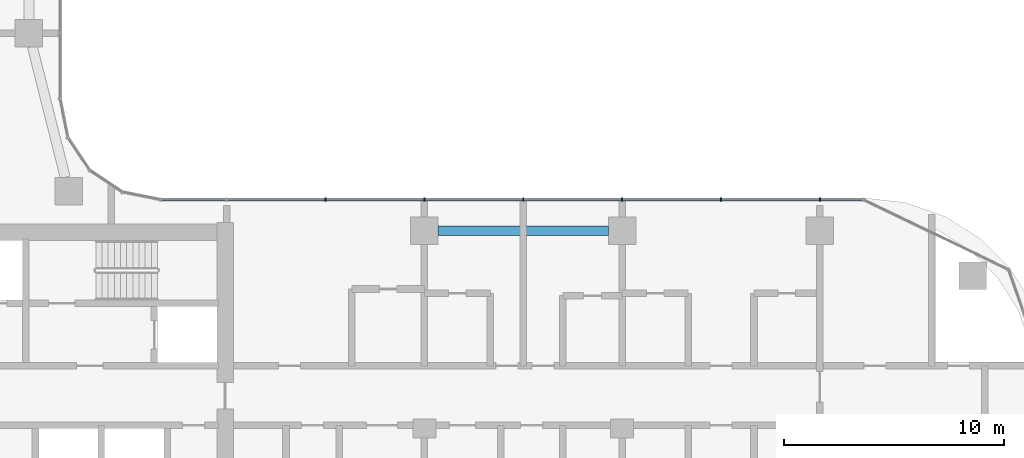
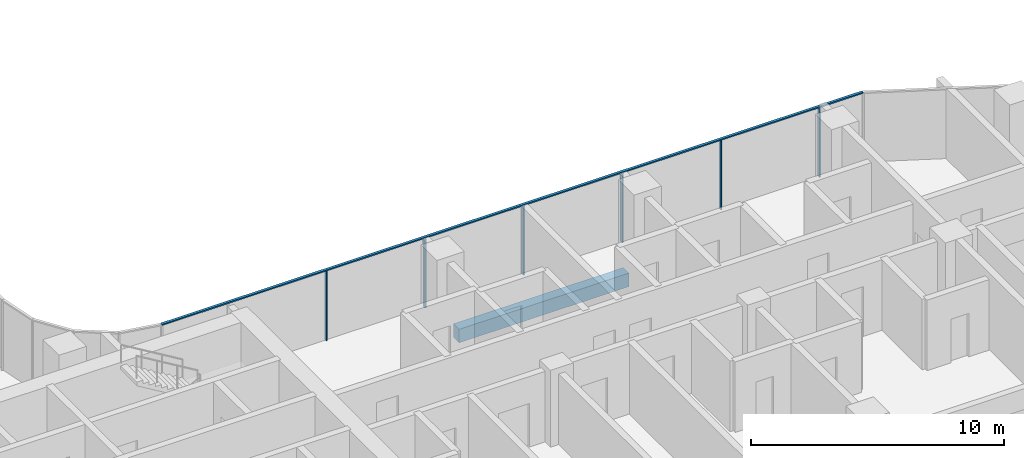
# One storey, part 4 of 22: 7 members, 1 beam, 1 element without a shape of its own.
"""IFC4 building model written with IfcOpenShell, lengths in metres."""

from ifc_helpers import new_model, si_unit, direction, frame, origin, origin_2d, place, context, subcontext, project, spatial, rectangle, extrude, material, material_profile, profile_set, type_object, element, aggregate, save


model = new_model("IFC4")

# Units and contexts
model_context = context("Model", 3, precision=1e-05, world=origin(), true_north=direction((0.0, 1.0)))
body_context = subcontext(model_context, "Body", "Model", "MODEL_VIEW")
ifc_project = project(units=[si_unit("LENGTHUNIT", "METRE"), si_unit("AREAUNIT", "SQUARE_METRE"), si_unit("VOLUMEUNIT", "CUBIC_METRE"), si_unit("PLANEANGLEUNIT", "RADIAN"), si_unit("MASSUNIT", "GRAM", prefix="KILO")], contexts=[model_context])

# Site, building, storey
site_placement = place(None, origin())
site = spatial("IfcSite", under=ifc_project, at=site_placement, CompositionType="ELEMENT")
building_placement = place(site_placement, origin())
building = spatial("IfcBuilding", under=site, at=building_placement, Name="Ogive Portal Towers", CompositionType="ELEMENT")
storey_placement = place(building_placement, frame((0.0, 0.0, 113.0)))
storey = spatial("IfcBuildingStorey", under=building, at=storey_placement, Name="L27", CompositionType="ELEMENT", Elevation=113.0)

# Curtain wall, members
ifc_material_1 = material(Name="Glass, clear low-iron insulated glazing", Category="glass")
curtain_wall_type = type_object("IfcCurtainWallType", Name="CW FRONT RIBBON 4500", PredefinedType="NOTDEFINED", material=ifc_material_1)
curtain_wall_placement = place(storey_placement, origin())
curtain_wall = element("IfcCurtainWall", 1, at=curtain_wall_placement, inside=storey, type_object=curtain_wall_type, Name="A:L27:f12:cw0", PredefinedType="NOTDEFINED")
ifc_material_2 = material(Name="Aluminium 6063 anodised", Category="aluminium")
ifc_material_profile_1 = material_profile(ifc_material_2, rectangle(XDim=0.159912109375, YDim=0.06005859375, at=origin_2d()), Name="AL 60x160")
ifc_profile_set_1 = profile_set([ifc_material_profile_1], Name="Aluminium 6063 anodised")
member_type_1 = type_object("IfcMemberType", Name="CW MULLION 60x160", PredefinedType="MULLION", material=ifc_profile_set_1)
member_1_placement = place(storey_placement, frame((85.5, 40.919921875, 0.0), z_axis=(0.0, 0.0, 1.0), x_axis=(0.0, -1.0, 0.0)))
member_1 = element("IfcMember", 2, at=member_1_placement, type_object=member_type_1, Name="mullion", PredefinedType="MULLION", context=body_context, shape_type="SweptSolid", body=[
    extrude(rectangle(XDim=0.159912109375, YDim=0.06005859375, at=origin_2d()), origin(), (0.0, 0.0, 1.0), 3.340087890625),
])
member_2_placement = place(storey_placement, frame((81.0, 40.919921875, 0.0), z_axis=(0.0, 0.0, 1.0), x_axis=(0.0, -1.0, 0.0)))
member_2 = element("IfcMember", 3, at=member_2_placement, type_object=member_type_1, Name="mullion", PredefinedType="MULLION", context=body_context, shape_type="SweptSolid", body=[
    extrude(rectangle(XDim=0.159912109375, YDim=0.06005859375, at=origin_2d()), origin(), (0.0, 0.0, 1.0), 3.340087890625),
])
member_3_placement = place(storey_placement, frame((76.5, 40.919921875, 0.0), z_axis=(0.0, 0.0, 1.0), x_axis=(0.0, -1.0, 0.0)))
member_3 = element("IfcMember", 4, at=member_3_placement, type_object=member_type_1, Name="mullion", PredefinedType="MULLION", context=body_context, shape_type="SweptSolid", body=[
    extrude(rectangle(XDim=0.159912109375, YDim=0.06005859375, at=origin_2d()), origin(), (0.0, 0.0, 1.0), 3.340087890625),
])
member_4_placement = place(storey_placement, frame((72.0, 40.919921875, 0.0), z_axis=(0.0, 0.0, 1.0), x_axis=(0.0, -1.0, 0.0)))
member_4 = element("IfcMember", 5, at=member_4_placement, type_object=member_type_1, Name="mullion", PredefinedType="MULLION", context=body_context, shape_type="SweptSolid", body=[
    extrude(rectangle(XDim=0.159912109375, YDim=0.06005859375, at=origin_2d()), origin(), (0.0, 0.0, 1.0), 3.340087890625),
])
member_5_placement = place(storey_placement, frame((67.5, 40.919921875, 0.0), z_axis=(0.0, 0.0, 1.0), x_axis=(0.0, -1.0, 0.0)))
member_5 = element("IfcMember", 6, at=member_5_placement, type_object=member_type_1, Name="mullion", PredefinedType="MULLION", context=body_context, shape_type="SweptSolid", body=[
    extrude(rectangle(XDim=0.159912109375, YDim=0.06005859375, at=origin_2d()), origin(), (0.0, 0.0, 1.0), 3.340087890625),
])
member_6_placement = place(storey_placement, frame((63.0, 40.919921875, 0.0), z_axis=(0.0, 0.0, 1.0), x_axis=(0.0, -1.0, 0.0)))
member_6 = element("IfcMember", 7, at=member_6_placement, type_object=member_type_1, Name="mullion", PredefinedType="MULLION", context=body_context, shape_type="SweptSolid", body=[
    extrude(rectangle(XDim=0.159912109375, YDim=0.06005859375, at=origin_2d()), origin(), (0.0, 0.0, 1.0), 3.340087890625),
])
ifc_material_profile_2 = material_profile(ifc_material_2, rectangle(XDim=0.1201171875, YDim=0.06005859375, at=origin_2d()), Name="AL 120x60")
ifc_profile_set_2 = profile_set([ifc_material_profile_2], Name="Aluminium 6063 anodised")
member_type_2 = type_object("IfcMemberType", Name="CW TRANSOM 60x120", PredefinedType="USERDEFINED", material=ifc_profile_set_2)
member_7_placement = place(storey_placement, frame((87.481689453125, 40.919921875, 3.3701171875), z_axis=(-1.0, 0.0, 0.0), x_axis=(0.0, -1.0, 0.0)))
member_7 = element("IfcMember", 8, at=member_7_placement, type_object=member_type_2, Name="transom", ObjectType="TRANSOM", PredefinedType="USERDEFINED", context=body_context, shape_type="SweptSolid", body=[
    extrude(rectangle(XDim=0.1201171875, YDim=0.06005859375, at=origin_2d()), origin(), (0.0, 0.0, 1.0), 31.989501953125),
])
aggregate(curtain_wall, [member_7, member_1, member_2, member_3, member_4, member_5, member_6])

# Beam
ifc_material_3 = material(Name="Concrete C50/60", Category="concrete")
ifc_material_profile_3 = material_profile(ifc_material_3, rectangle(XDim=0.449951171875, YDim=0.64990234375, at=origin_2d()), Name="RC 450x650")
ifc_profile_set_3 = profile_set([ifc_material_profile_3], Name="Concrete C50/60")
beam_type = type_object("IfcBeamType", Name="SPANDREL BEAM RC 450x650", PredefinedType="BEAM", material=ifc_profile_set_3)
beam_placement = place(storey_placement, frame((68.125, 39.5, -0.625), z_axis=(1.0, 0.0, 0.0), x_axis=(0.0, 1.0, 0.0)))
element("IfcBeam", 9, at=beam_placement, inside=storey, type_object=beam_type, Name="Spandrel beam L27", PredefinedType="BEAM", context=body_context, shape_type="SweptSolid", body=[
    extrude(rectangle(XDim=0.449951171875, YDim=0.64990234375, at=origin_2d()), origin(), (0.0, 0.0, 1.0), 7.75),
])

save(model, "model.ifc")
